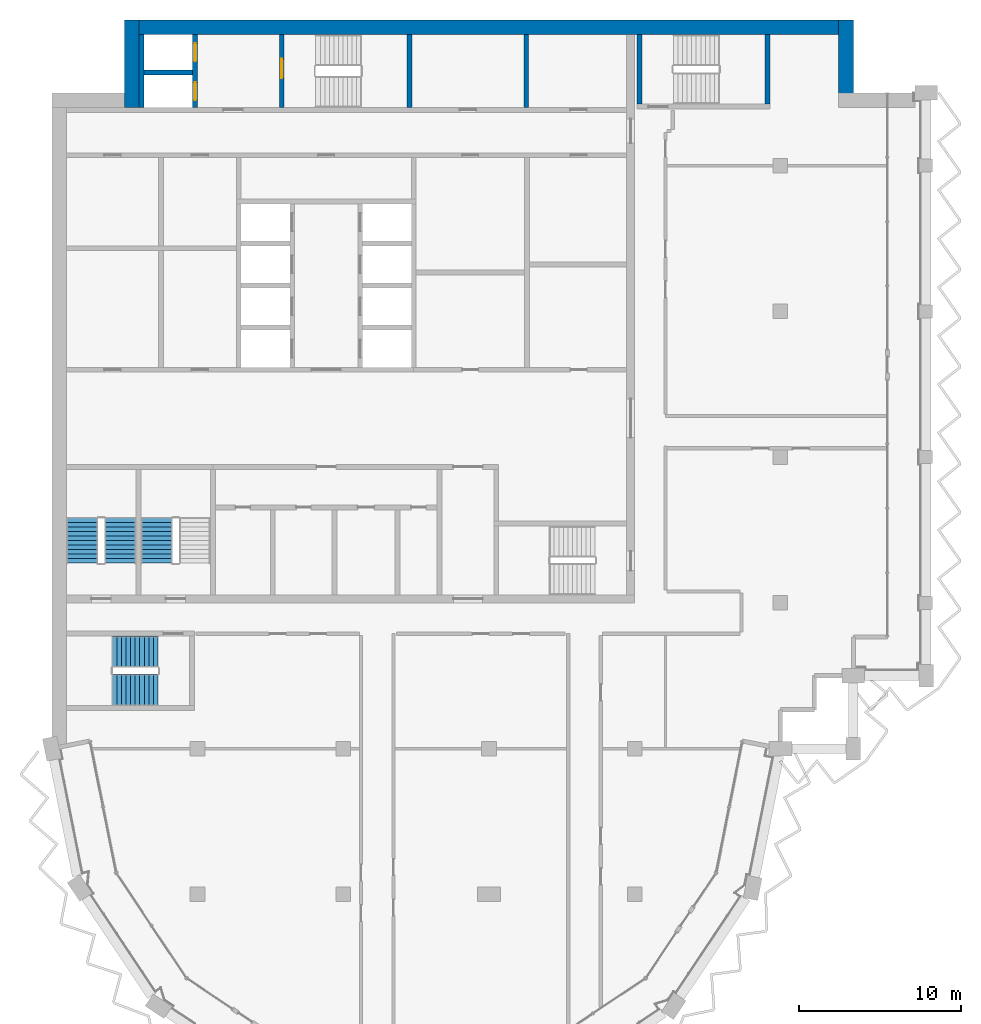
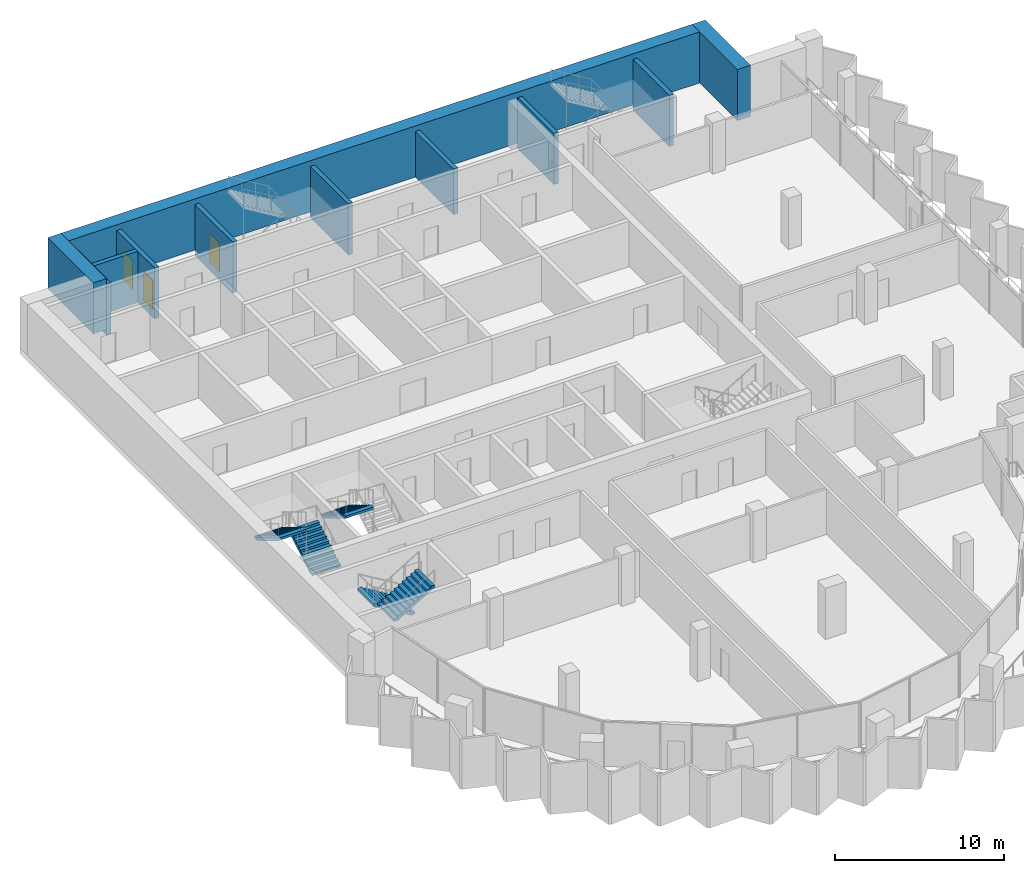
# One storey, part 10 of 14: 11 walls, 5 stair flights, 3 doors, 3 openings, 3 elements without a shape of their own.
"""IFC4 building model written with IfcOpenShell, lengths in metres."""

from ifc_helpers import new_model, si_unit, direction, frame, frame_2d, origin, place, context, subcontext, project, spatial, polyline, rectangle, outline, extrude, material, layer, layer_set, type_object, element, fill, aggregate, save


model = new_model("IFC4")

# Units and contexts
model_context = context("Model", 3, precision=1e-05, world=origin(), true_north=direction((0.0, 1.0)))
body_context = subcontext(model_context, "Body", "Model", "MODEL_VIEW")
ifc_project = project(units=[si_unit("LENGTHUNIT", "METRE"), si_unit("AREAUNIT", "SQUARE_METRE"), si_unit("VOLUMEUNIT", "CUBIC_METRE"), si_unit("PLANEANGLEUNIT", "RADIAN"), si_unit("MASSUNIT", "GRAM", prefix="KILO")], contexts=[model_context])

# Site, building, storey
site_placement = place(None, origin())
site = spatial("IfcSite", under=ifc_project, at=site_placement, CompositionType="ELEMENT")
building_placement = place(site_placement, origin())
building = spatial("IfcBuilding", under=site, at=building_placement, Name="Hunhe Ridgeline Campus", CompositionType="ELEMENT")
storey_placement = place(building_placement, frame((0.0, 0.0, 295.60009765625)))
storey = spatial("IfcBuildingStorey", under=building, at=storey_placement, Name="L76", CompositionType="ELEMENT", Elevation=295.60009765625)

# Walls
ifc_material_1 = material(Name="Masonry concrete blockwork", Category="masonry")
ifc_layer_1 = layer(ifc_material_1, 0.300048828125)
ifc_layer_set_1 = layer_set([ifc_layer_1], Name="Core room partition 300 concrete block")
wall_type_1 = type_object("IfcWallType", Name="Core room partition 300 concrete block", PredefinedType="PARTITIONING", material=ifc_layer_set_1)
wall_1_placement = place(storey_placement, frame((29.300048828125, 93.60009765625, 0.0), z_axis=(0.0, 0.0, 1.0), x_axis=(0.0, 1.0, 0.0)))
element("IfcWall", 1, at=wall_1_placement, inside=storey, type_object=wall_type_1, Name="L76 core partition 44", PredefinedType="PARTITIONING", context=body_context, shape_type="SweptSolid", body=[
    extrude(rectangle(XDim=4.5, YDim=0.300048828125, at=frame_2d((2.25, 0.0))), origin(), (0.0, 0.0, 1.0), 3.2998046875),
])
ifc_material_2 = material(Name="Concrete C50", Category="concrete")
ifc_layer_2 = layer(ifc_material_2, 0.300048828125)
ifc_layer_set_2 = layer_set([ifc_layer_2], Name="Shaft wall 300 reinforced concrete C50")
wall_type_2 = type_object("IfcWallType", Name="Shaft wall 300 reinforced concrete C50", PredefinedType="SOLIDWALL", material=ifc_layer_set_2)
wall_2_placement = place(storey_placement, frame((5.699951171875, 95.75, -0.400146484375), z_axis=(0.0, 0.0, 1.0), x_axis=(1.0, 0.0, 0.0)))
element("IfcWall", 2, at=wall_2_placement, inside=storey, type_object=wall_type_2, Name="L76 core wall 23", PredefinedType="SOLIDWALL", context=body_context, shape_type="SweptSolid", body=[
    extrude(rectangle(XDim=3.0, YDim=0.300048828125, at=frame_2d((1.5, 0.0))), origin(), (0.0, 0.0, 1.0), 3.699951171875),
])
wall_3_placement = place(storey_placement, frame((5.550048828125, 93.60009765625, -0.400146484375), z_axis=(0.0, 0.0, 1.0), x_axis=(0.0, 1.0, 0.0)))
element("IfcWall", 3, at=wall_3_placement, inside=storey, type_object=wall_type_2, Name="L76 core wall 25", PredefinedType="SOLIDWALL", context=body_context, shape_type="SweptSolid", body=[
    extrude(rectangle(XDim=4.5, YDim=0.300048828125, at=frame_2d((2.25, 0.0))), origin(), (0.0, 0.0, 1.0), 3.699951171875),
])

# Wall, openings, doors
wall_4_placement = place(storey_placement, frame((8.85009765625, 93.60009765625, -0.400146484375), z_axis=(0.0, 0.0, 1.0), x_axis=(0.0, 1.0, 0.0)))
wall_4 = element("IfcWall", 4, at=wall_4_placement, inside=storey, type_object=wall_type_2, Name="L76 core wall 28", PredefinedType="SOLIDWALL", context=body_context, shape_type="SweptSolid", body=[
    extrude(rectangle(XDim=4.5, YDim=0.300048828125, at=frame_2d((2.25, 0.0))), origin(), (0.0, 0.0, 1.0), 3.699951171875),
])
opening_1_placement = place(wall_4_placement, frame((0.449951171875, 0.0, 0.39990234375)))
opening_1 = element("IfcOpeningElement", 5, at=opening_1_placement, cuts=wall_4, Name="Opening LD-FF1", PredefinedType="OPENING", context=body_context, shape_type="SweptSolid", body=[
    extrude(rectangle(XDim=1.10009765625, YDim=2.10009765625, at=frame_2d((0.550048828125, 1.050048828125))), frame((0.0, 0.14990234375, 0.0), z_axis=(0.0, -1.0, 0.0), x_axis=(1.0, 0.0, 0.0)), (0.0, 0.0, 1.0), 0.300048828125),
])
opening_2_placement = place(wall_4_placement, frame((2.85009765625, 0.0, 0.39990234375)))
opening_2 = element("IfcOpeningElement", 6, at=opening_2_placement, cuts=wall_4, Name="Opening LD-FF2", PredefinedType="OPENING", context=body_context, shape_type="SweptSolid", body=[
    extrude(rectangle(XDim=1.10009765625, YDim=2.10009765625, at=frame_2d((0.550048828125, 1.050048828125))), frame((0.0, 0.14990234375, 0.0), z_axis=(0.0, -1.0, 0.0), x_axis=(1.0, 0.0, 0.0)), (0.0, 0.0, 1.0), 0.300048828125),
])
ifc_material_3 = material(Name="Stainless steel sliding leaves", Category="steel")
door_type_1 = type_object("IfcDoorType", Name="Landing door 1100x2100 FD120", OperationType="SLIDING_TO_LEFT", PredefinedType="DOOR", material=ifc_material_3)
door_1_placement = place(opening_1_placement, origin())
door_1 = element("IfcDoor", 7, at=door_1_placement, inside=storey, type_object=door_type_1, Name="L76 landing door FF1", OperationType="SLIDING_TO_RIGHT", OverallHeight=2.10009765625, OverallWidth=1.10009765625, PredefinedType="DOOR", context=body_context, shape_type="SweptSolid", body=[
    extrude(rectangle(XDim=1.10009765625, YDim=2.10009765625, at=frame_2d((0.550048828125, 1.050048828125))), frame((0.0, 0.02490234375, 0.0), z_axis=(0.0, -1.0, 0.0), x_axis=(1.0, 0.0, 0.0)), (0.0, 0.0, 1.0), 0.050048828125),
])
fill(opening_1, door_1)
door_2_placement = place(opening_2_placement, origin())
door_2 = element("IfcDoor", 8, at=door_2_placement, inside=storey, type_object=door_type_1, Name="L76 landing door FF2", OperationType="SLIDING_TO_LEFT", OverallHeight=2.10009765625, OverallWidth=1.10009765625, PredefinedType="DOOR", context=body_context, shape_type="SweptSolid", body=[
    extrude(rectangle(XDim=1.10009765625, YDim=2.10009765625, at=frame_2d((0.550048828125, 1.050048828125))), frame((0.0, 0.02490234375, 0.0), z_axis=(0.0, -1.0, 0.0), x_axis=(1.0, 0.0, 0.0)), (0.0, 0.0, 1.0), 0.050048828125),
])
fill(opening_2, door_2)

# Walls
ifc_layer_3 = layer(ifc_material_2, 0.89990234375)
ifc_layer_set_3 = layer_set([ifc_layer_3], Name="Spine wall 900 Concrete C50")
wall_type_3 = type_object("IfcWallType", Name="Spine wall 900 Concrete C50", PredefinedType="SHEAR", material=ifc_layer_set_3)
wall_5_placement = place(storey_placement, frame((49.050048828125, 93.60009765625, 0.0), z_axis=(0.0, 0.0, 1.0), x_axis=(0.0, 1.0, 0.0)))
element("IfcWall", 9, at=wall_5_placement, inside=storey, type_object=wall_type_3, Name="Spine wall SW4-3 L76", PredefinedType="SHEAR", context=body_context, shape_type="SweptSolid", body=[
    extrude(rectangle(XDim=5.39990234375, YDim=0.89990234375, at=frame_2d((2.699951171875, 0.0))), origin(), (0.0, 0.0, 1.0), 3.699951171875),
])
wall_6_placement = place(storey_placement, frame((49.5, 98.550048828125, 0.0), z_axis=(0.0, 0.0, 1.0), x_axis=(-1.0, 0.0, 0.0)))
element("IfcWall", 10, at=wall_6_placement, inside=storey, type_object=wall_type_3, Name="Spine wall SW4-4 L76", PredefinedType="SHEAR", context=body_context, shape_type="SweptSolid", body=[
    extrude(rectangle(XDim=45.0, YDim=0.89990234375, at=frame_2d((22.5, 0.0))), origin(), (0.0, 0.0, 1.0), 3.699951171875),
])
wall_7_placement = place(storey_placement, frame((4.949951171875, 99.0, 0.0), z_axis=(0.0, 0.0, 1.0), x_axis=(0.0, -1.0, 0.0)))
element("IfcWall", 11, at=wall_7_placement, inside=storey, type_object=wall_type_3, Name="Spine wall SW4-5 L76", PredefinedType="SHEAR", context=body_context, shape_type="SweptSolid", body=[
    extrude(rectangle(XDim=5.400146484375, YDim=0.89990234375, at=frame_2d((2.7001953125, 0.0))), origin(), (0.0, 0.0, 1.0), 3.699951171875),
])

# Wall, opening, door
ifc_layer_4 = layer(ifc_material_2, 0.300048828125)
ifc_layer_set_4 = layer_set([ifc_layer_4], Name="Stair wall 300 reinforced concrete C50")
wall_type_4 = type_object("IfcWallType", Name="Stair wall 300 reinforced concrete C50", PredefinedType="SOLIDWALL", material=ifc_layer_set_4)
wall_8_placement = place(storey_placement, frame((14.199951171875, 93.60009765625, -0.400146484375), z_axis=(0.0, 0.0, 1.0), x_axis=(0.0, 1.0, 0.0)))
wall_8 = element("IfcWall", 12, at=wall_8_placement, inside=storey, type_object=wall_type_4, Name="L76 core wall 33", PredefinedType="SOLIDWALL", context=body_context, shape_type="SweptSolid", body=[
    extrude(rectangle(XDim=4.5, YDim=0.300048828125, at=frame_2d((2.25, 0.0))), origin(), (0.0, 0.0, 1.0), 3.699951171875),
])
opening_3_placement = place(wall_8_placement, frame((1.800048828125, 0.0, 0.39990234375)))
opening_3 = element("IfcOpeningElement", 13, at=opening_3_placement, cuts=wall_8, Name="Opening CD16", PredefinedType="OPENING", context=body_context, shape_type="SweptSolid", body=[
    extrude(rectangle(XDim=1.199951171875, YDim=2.10009765625, at=frame_2d((0.60009765625, 1.050048828125))), frame((0.0, 0.14990234375, 0.0), z_axis=(0.0, -1.0, 0.0), x_axis=(1.0, 0.0, 0.0)), (0.0, 0.0, 1.0), 0.300048828125),
])
ifc_material_4 = material(Name="Hollow metal fire door leaf")
door_type_2 = type_object("IfcDoorType", Name="Stair door 1200x2100 FD60", OperationType="SINGLE_SWING_LEFT", PredefinedType="DOOR", material=ifc_material_4)
door_3_placement = place(opening_3_placement, origin())
door_3 = element("IfcDoor", 14, at=door_3_placement, inside=storey, type_object=door_type_2, Name="L76 door S1-FF", OperationType="SINGLE_SWING_RIGHT", OverallHeight=2.10009765625, OverallWidth=1.199951171875, PredefinedType="DOOR", context=body_context, shape_type="SweptSolid", body=[
    extrude(rectangle(XDim=1.199951171875, YDim=2.10009765625, at=frame_2d((0.60009765625, 1.050048828125))), frame((0.0, 0.02490234375, 0.0), z_axis=(0.0, -1.0, 0.0), x_axis=(1.0, 0.0, 0.0)), (0.0, 0.0, 1.0), 0.050048828125),
])
fill(opening_3, door_3)

# Walls
wall_9_placement = place(storey_placement, frame((22.10009765625, 93.60009765625, -0.400146484375), z_axis=(0.0, 0.0, 1.0), x_axis=(0.0, 1.0, 0.0)))
element("IfcWall", 15, at=wall_9_placement, inside=storey, type_object=wall_type_4, Name="L76 core wall 38", PredefinedType="SOLIDWALL", context=body_context, shape_type="SweptSolid", body=[
    extrude(rectangle(XDim=4.5, YDim=0.300048828125, at=frame_2d((2.25, 0.0))), origin(), (0.0, 0.0, 1.0), 3.699951171875),
])
for number, where, z_axis, x_axis, name in (
    (16, (36.300048828125, 93.800048828125, -0.400146484375), (0.0, 0.0, 1.0), (0.0, 1.0, 0.0), "L76 core wall 47"),
    (17, (44.199951171875, 93.800048828125, -0.400146484375), (0.0, 0.0, 1.0), (0.0, 1.0, 0.0), "L76 core wall 48"),
):
    element("IfcWall", number, at=place(storey_placement, frame(where, z_axis=z_axis, x_axis=x_axis)), inside=storey, type_object=wall_type_4, Name=name, PredefinedType="SOLIDWALL", context=body_context, shape_type="SweptSolid", body=[
        extrude(rectangle(XDim=4.300048828125, YDim=0.300048828125, at=frame_2d((2.14990234375, 0.0))), origin(), (0.0, 0.0, 1.0), 3.699951171875),
    ])

# Stair, stair flights
ifc_material_5 = material(Name="Concrete C40", Category="concrete")
stair_type = type_object("IfcStairType", Name="Reinforced concrete dog-leg stair 1950 Concrete C40", PredefinedType="HALF_TURN_STAIR", material=ifc_material_5)
stair_1_placement = place(storey_placement, origin())
stair_1 = element("IfcStair", 18, at=stair_1_placement, inside=storey, type_object=stair_type, Name="L76 S3", PredefinedType="HALF_TURN_STAIR")
stair_flight_type = type_object("IfcStairFlightType", Name="Reinforced concrete stair flight 1950 Concrete C40", PredefinedType="STRAIGHT", material=ifc_material_5)
stair_flight_1_placement = place(storey_placement, frame((4.22509765625, 65.449951171875, 0.0), z_axis=(0.0, 0.0, 1.0), x_axis=(0.0, 1.0, 0.0)))
stair_flight_1 = element("IfcStairFlight", 19, at=stair_flight_1_placement, type_object=stair_flight_type, Name="ST3 flight 1", NumberOfRisers=11, NumberOfTreads=10, PredefinedType="STRAIGHT", RiserHeight=0.168181818, TreadLength=0.28, context=body_context, shape_type="SweptSolid", body=[
    extrude(outline(polyline([(0.0, 0.0), (0.0, 0.168212890625), (0.280029296875, 0.168212890625), (0.280029296875, 0.33642578125), (0.56005859375, 0.33642578125), (0.56005859375, 0.504638671875), (0.840087890625, 0.504638671875), (0.840087890625, 0.672607421875), (1.1201171875, 0.672607421875), (1.1201171875, 0.8408203125), (1.39990234375, 0.8408203125), (1.39990234375, 1.009033203125), (1.679931640625, 1.009033203125), (1.679931640625, 1.17724609375), (1.9599609375, 1.17724609375), (1.9599609375, 1.345458984375), (2.239990234375, 1.345458984375), (2.239990234375, 1.513671875), (2.52001953125, 1.513671875), (2.52001953125, 1.681884765625), (2.800048828125, 1.681884765625), (2.800048828125, 1.85009765625), (2.800048828125, 1.5068359375), (0.291015625, 0.0), (0.0, 0.0)])), frame((0.0, 0.97509765625, 0.0), z_axis=(0.0, -1.0, 0.0), x_axis=(1.0, 0.0, 0.0)), (0.0, 0.0, 1.0), 1.949951171875),
    extrude(outline(polyline([(0.030029296875, 0.030029296875), (0.030029296875, 0.13818359375), (0.31005859375, 0.13818359375), (0.31005859375, 0.306396484375), (0.590087890625, 0.306396484375), (0.590087890625, 0.474609375), (0.8701171875, 0.474609375), (0.8701171875, 0.642578125), (1.14990234375, 0.642578125), (1.14990234375, 0.810791015625), (1.429931640625, 0.810791015625), (1.429931640625, 0.97900390625), (1.7099609375, 0.97900390625), (1.7099609375, 1.147216796875), (1.989990234375, 1.147216796875), (1.989990234375, 1.3154296875), (2.27001953125, 1.3154296875), (2.27001953125, 1.483642578125), (2.550048828125, 1.483642578125), (2.550048828125, 1.65185546875), (2.77001953125, 1.65185546875), (2.77001953125, 1.52392578125), (0.28271484375, 0.030029296875), (0.030029296875, 0.030029296875)])), frame((0.0, -0.070068359375, 0.0), z_axis=(0.0, -1.0, 0.0), x_axis=(1.0, 0.0, 0.0)), (0.0, 0.0, 1.0), 0.019775390625),
    extrude(outline(polyline([(0.030029296875, 0.030029296875), (0.030029296875, 0.13818359375), (0.31005859375, 0.13818359375), (0.31005859375, 0.306396484375), (0.590087890625, 0.306396484375), (0.590087890625, 0.474609375), (0.8701171875, 0.474609375), (0.8701171875, 0.642578125), (1.14990234375, 0.642578125), (1.14990234375, 0.810791015625), (1.429931640625, 0.810791015625), (1.429931640625, 0.97900390625), (1.7099609375, 0.97900390625), (1.7099609375, 1.147216796875), (1.989990234375, 1.147216796875), (1.989990234375, 1.3154296875), (2.27001953125, 1.3154296875), (2.27001953125, 1.483642578125), (2.550048828125, 1.483642578125), (2.550048828125, 1.65185546875), (2.77001953125, 1.65185546875), (2.77001953125, 1.52392578125), (0.28271484375, 0.030029296875), (0.030029296875, 0.030029296875)])), frame((0.0, 0.010009765625, 0.0), z_axis=(0.0, -1.0, 0.0), x_axis=(1.0, 0.0, 0.0)), (0.0, 0.0, 1.0), 0.019775390625),
    extrude(outline(polyline([(0.030029296875, 0.030029296875), (0.030029296875, 0.13818359375), (0.31005859375, 0.13818359375), (0.31005859375, 0.306396484375), (0.590087890625, 0.306396484375), (0.590087890625, 0.474609375), (0.8701171875, 0.474609375), (0.8701171875, 0.642578125), (1.14990234375, 0.642578125), (1.14990234375, 0.810791015625), (1.429931640625, 0.810791015625), (1.429931640625, 0.97900390625), (1.7099609375, 0.97900390625), (1.7099609375, 1.147216796875), (1.989990234375, 1.147216796875), (1.989990234375, 1.3154296875), (2.27001953125, 1.3154296875), (2.27001953125, 1.483642578125), (2.550048828125, 1.483642578125), (2.550048828125, 1.65185546875), (2.77001953125, 1.65185546875), (2.77001953125, 1.52392578125), (0.28271484375, 0.030029296875), (0.030029296875, 0.030029296875)])), frame((0.0, 0.090087890625, 0.0), z_axis=(0.0, -1.0, 0.0), x_axis=(1.0, 0.0, 0.0)), (0.0, 0.0, 1.0), 0.019775390625),
])
stair_flight_2_placement = place(storey_placement, frame((1.875, 68.25, 1.849853515625), z_axis=(0.0, 0.0, 1.0), x_axis=(0.0, -1.0, 0.0)))
stair_flight_2 = element("IfcStairFlight", 20, at=stair_flight_2_placement, type_object=stair_flight_type, Name="ST3 flight 2", NumberOfRisers=11, NumberOfTreads=10, PredefinedType="STRAIGHT", RiserHeight=0.168181818, TreadLength=0.28, context=body_context, shape_type="SweptSolid", body=[
    extrude(outline(polyline([(0.0, 0.0), (0.0, 0.168212890625), (0.280029296875, 0.168212890625), (0.280029296875, 0.33642578125), (0.56005859375, 0.33642578125), (0.56005859375, 0.504638671875), (0.840087890625, 0.504638671875), (0.840087890625, 0.672607421875), (1.1201171875, 0.672607421875), (1.1201171875, 0.8408203125), (1.39990234375, 0.8408203125), (1.39990234375, 1.009033203125), (1.679931640625, 1.009033203125), (1.679931640625, 1.17724609375), (1.9599609375, 1.17724609375), (1.9599609375, 1.345458984375), (2.239990234375, 1.345458984375), (2.239990234375, 1.513671875), (2.52001953125, 1.513671875), (2.52001953125, 1.681884765625), (2.800048828125, 1.681884765625), (2.800048828125, 1.85009765625), (2.800048828125, 1.5068359375), (0.291015625, 0.0), (0.0, 0.0)])), frame((0.0, 0.97509765625, 0.0), z_axis=(0.0, -1.0, 0.0), x_axis=(1.0, 0.0, 0.0)), (0.0, 0.0, 1.0), 1.949951171875),
    extrude(outline(polyline([(0.030029296875, 0.030029296875), (0.030029296875, 0.13818359375), (0.31005859375, 0.13818359375), (0.31005859375, 0.306396484375), (0.590087890625, 0.306396484375), (0.590087890625, 0.474609375), (0.8701171875, 0.474609375), (0.8701171875, 0.642578125), (1.14990234375, 0.642578125), (1.14990234375, 0.810791015625), (1.429931640625, 0.810791015625), (1.429931640625, 0.97900390625), (1.7099609375, 0.97900390625), (1.7099609375, 1.147216796875), (1.989990234375, 1.147216796875), (1.989990234375, 1.3154296875), (2.27001953125, 1.3154296875), (2.27001953125, 1.483642578125), (2.550048828125, 1.483642578125), (2.550048828125, 1.65185546875), (2.77001953125, 1.65185546875), (2.77001953125, 1.52392578125), (0.28271484375, 0.030029296875), (0.030029296875, 0.030029296875)])), frame((0.0, -0.070068359375, 0.0), z_axis=(0.0, -1.0, 0.0), x_axis=(1.0, 0.0, 0.0)), (0.0, 0.0, 1.0), 0.019775390625),
    extrude(outline(polyline([(0.030029296875, 0.030029296875), (0.030029296875, 0.13818359375), (0.31005859375, 0.13818359375), (0.31005859375, 0.306396484375), (0.590087890625, 0.306396484375), (0.590087890625, 0.474609375), (0.8701171875, 0.474609375), (0.8701171875, 0.642578125), (1.14990234375, 0.642578125), (1.14990234375, 0.810791015625), (1.429931640625, 0.810791015625), (1.429931640625, 0.97900390625), (1.7099609375, 0.97900390625), (1.7099609375, 1.147216796875), (1.989990234375, 1.147216796875), (1.989990234375, 1.3154296875), (2.27001953125, 1.3154296875), (2.27001953125, 1.483642578125), (2.550048828125, 1.483642578125), (2.550048828125, 1.65185546875), (2.77001953125, 1.65185546875), (2.77001953125, 1.52392578125), (0.28271484375, 0.030029296875), (0.030029296875, 0.030029296875)])), frame((0.0, 0.010009765625, 0.0), z_axis=(0.0, -1.0, 0.0), x_axis=(1.0, 0.0, 0.0)), (0.0, 0.0, 1.0), 0.019775390625),
    extrude(outline(polyline([(0.030029296875, 0.030029296875), (0.030029296875, 0.13818359375), (0.31005859375, 0.13818359375), (0.31005859375, 0.306396484375), (0.590087890625, 0.306396484375), (0.590087890625, 0.474609375), (0.8701171875, 0.474609375), (0.8701171875, 0.642578125), (1.14990234375, 0.642578125), (1.14990234375, 0.810791015625), (1.429931640625, 0.810791015625), (1.429931640625, 0.97900390625), (1.7099609375, 0.97900390625), (1.7099609375, 1.147216796875), (1.989990234375, 1.147216796875), (1.989990234375, 1.3154296875), (2.27001953125, 1.3154296875), (2.27001953125, 1.483642578125), (2.550048828125, 1.483642578125), (2.550048828125, 1.65185546875), (2.77001953125, 1.65185546875), (2.77001953125, 1.52392578125), (0.28271484375, 0.030029296875), (0.030029296875, 0.030029296875)])), frame((0.0, 0.090087890625, 0.0), z_axis=(0.0, -1.0, 0.0), x_axis=(1.0, 0.0, 0.0)), (0.0, 0.0, 1.0), 0.019775390625),
])
aggregate(stair_1, [stair_flight_1, stair_flight_2])

# Stair, stair flight
stair_2_placement = place(storey_placement, origin())
stair_2 = element("IfcStair", 21, at=stair_2_placement, inside=storey, type_object=stair_type, Name="L76 S4", PredefinedType="HALF_TURN_STAIR")
stair_flight_3_placement = place(storey_placement, frame((6.47509765625, 68.25, 1.849853515625), z_axis=(0.0, 0.0, 1.0), x_axis=(0.0, -1.0, 0.0)))
stair_flight_3 = element("IfcStairFlight", 22, at=stair_flight_3_placement, type_object=stair_flight_type, Name="ST4 flight 2", NumberOfRisers=11, NumberOfTreads=10, PredefinedType="STRAIGHT", RiserHeight=0.168181818, TreadLength=0.28, context=body_context, shape_type="SweptSolid", body=[
    extrude(outline(polyline([(0.0, 0.0), (0.0, 0.168212890625), (0.280029296875, 0.168212890625), (0.280029296875, 0.33642578125), (0.56005859375, 0.33642578125), (0.56005859375, 0.504638671875), (0.840087890625, 0.504638671875), (0.840087890625, 0.672607421875), (1.1201171875, 0.672607421875), (1.1201171875, 0.8408203125), (1.39990234375, 0.8408203125), (1.39990234375, 1.009033203125), (1.679931640625, 1.009033203125), (1.679931640625, 1.17724609375), (1.9599609375, 1.17724609375), (1.9599609375, 1.345458984375), (2.239990234375, 1.345458984375), (2.239990234375, 1.513671875), (2.52001953125, 1.513671875), (2.52001953125, 1.681884765625), (2.800048828125, 1.681884765625), (2.800048828125, 1.85009765625), (2.800048828125, 1.5068359375), (0.291015625, 0.0), (0.0, 0.0)])), frame((0.0, 0.97509765625, 0.0), z_axis=(0.0, -1.0, 0.0), x_axis=(1.0, 0.0, 0.0)), (0.0, 0.0, 1.0), 1.949951171875),
    extrude(outline(polyline([(0.030029296875, 0.030029296875), (0.030029296875, 0.13818359375), (0.31005859375, 0.13818359375), (0.31005859375, 0.306396484375), (0.590087890625, 0.306396484375), (0.590087890625, 0.474609375), (0.8701171875, 0.474609375), (0.8701171875, 0.642578125), (1.14990234375, 0.642578125), (1.14990234375, 0.810791015625), (1.429931640625, 0.810791015625), (1.429931640625, 0.97900390625), (1.7099609375, 0.97900390625), (1.7099609375, 1.147216796875), (1.989990234375, 1.147216796875), (1.989990234375, 1.3154296875), (2.27001953125, 1.3154296875), (2.27001953125, 1.483642578125), (2.550048828125, 1.483642578125), (2.550048828125, 1.65185546875), (2.77001953125, 1.65185546875), (2.77001953125, 1.52392578125), (0.28271484375, 0.030029296875), (0.030029296875, 0.030029296875)])), frame((0.0, -0.070068359375, 0.0), z_axis=(0.0, -1.0, 0.0), x_axis=(1.0, 0.0, 0.0)), (0.0, 0.0, 1.0), 0.019775390625),
    extrude(outline(polyline([(0.030029296875, 0.030029296875), (0.030029296875, 0.13818359375), (0.31005859375, 0.13818359375), (0.31005859375, 0.306396484375), (0.590087890625, 0.306396484375), (0.590087890625, 0.474609375), (0.8701171875, 0.474609375), (0.8701171875, 0.642578125), (1.14990234375, 0.642578125), (1.14990234375, 0.810791015625), (1.429931640625, 0.810791015625), (1.429931640625, 0.97900390625), (1.7099609375, 0.97900390625), (1.7099609375, 1.147216796875), (1.989990234375, 1.147216796875), (1.989990234375, 1.3154296875), (2.27001953125, 1.3154296875), (2.27001953125, 1.483642578125), (2.550048828125, 1.483642578125), (2.550048828125, 1.65185546875), (2.77001953125, 1.65185546875), (2.77001953125, 1.52392578125), (0.28271484375, 0.030029296875), (0.030029296875, 0.030029296875)])), frame((0.0, 0.010009765625, 0.0), z_axis=(0.0, -1.0, 0.0), x_axis=(1.0, 0.0, 0.0)), (0.0, 0.0, 1.0), 0.019775390625),
    extrude(outline(polyline([(0.030029296875, 0.030029296875), (0.030029296875, 0.13818359375), (0.31005859375, 0.13818359375), (0.31005859375, 0.306396484375), (0.590087890625, 0.306396484375), (0.590087890625, 0.474609375), (0.8701171875, 0.474609375), (0.8701171875, 0.642578125), (1.14990234375, 0.642578125), (1.14990234375, 0.810791015625), (1.429931640625, 0.810791015625), (1.429931640625, 0.97900390625), (1.7099609375, 0.97900390625), (1.7099609375, 1.147216796875), (1.989990234375, 1.147216796875), (1.989990234375, 1.3154296875), (2.27001953125, 1.3154296875), (2.27001953125, 1.483642578125), (2.550048828125, 1.483642578125), (2.550048828125, 1.65185546875), (2.77001953125, 1.65185546875), (2.77001953125, 1.52392578125), (0.28271484375, 0.030029296875), (0.030029296875, 0.030029296875)])), frame((0.0, 0.090087890625, 0.0), z_axis=(0.0, -1.0, 0.0), x_axis=(1.0, 0.0, 0.0)), (0.0, 0.0, 1.0), 0.019775390625),
])
aggregate(stair_2, [stair_flight_3])

# Stair, stair flights
stair_3_placement = place(storey_placement, origin())
stair_3 = element("IfcStair", 23, at=stair_3_placement, inside=storey, type_object=stair_type, Name="L76 W2", PredefinedType="HALF_TURN_STAIR")
stair_flight_4_placement = place(storey_placement, frame((6.550048828125, 59.97509765625, 0.0), z_axis=(0.0, 0.0, 1.0), x_axis=(-1.0, 0.0, 0.0)))
stair_flight_4 = element("IfcStairFlight", 24, at=stair_flight_4_placement, type_object=stair_flight_type, Name="ST12 flight 1", NumberOfRisers=11, NumberOfTreads=10, PredefinedType="STRAIGHT", RiserHeight=0.168181818, TreadLength=0.28, context=body_context, shape_type="SweptSolid", body=[
    extrude(outline(polyline([(0.0, 0.0), (0.0, 0.168212890625), (0.280029296875, 0.168212890625), (0.280029296875, 0.33642578125), (0.56005859375, 0.33642578125), (0.56005859375, 0.504638671875), (0.840087890625, 0.504638671875), (0.840087890625, 0.672607421875), (1.1201171875, 0.672607421875), (1.1201171875, 0.8408203125), (1.39990234375, 0.8408203125), (1.39990234375, 1.009033203125), (1.679931640625, 1.009033203125), (1.679931640625, 1.17724609375), (1.9599609375, 1.17724609375), (1.9599609375, 1.345458984375), (2.239990234375, 1.345458984375), (2.239990234375, 1.513671875), (2.52001953125, 1.513671875), (2.52001953125, 1.681884765625), (2.800048828125, 1.681884765625), (2.800048828125, 1.85009765625), (2.800048828125, 1.5068359375), (0.291015625, 0.0), (0.0, 0.0)])), frame((0.0, 0.97509765625, 0.0), z_axis=(0.0, -1.0, 0.0), x_axis=(1.0, 0.0, 0.0)), (0.0, 0.0, 1.0), 1.949951171875),
    extrude(outline(polyline([(0.030029296875, 0.030029296875), (0.030029296875, 0.13818359375), (0.31005859375, 0.13818359375), (0.31005859375, 0.306396484375), (0.590087890625, 0.306396484375), (0.590087890625, 0.474609375), (0.8701171875, 0.474609375), (0.8701171875, 0.642578125), (1.14990234375, 0.642578125), (1.14990234375, 0.810791015625), (1.429931640625, 0.810791015625), (1.429931640625, 0.97900390625), (1.7099609375, 0.97900390625), (1.7099609375, 1.147216796875), (1.989990234375, 1.147216796875), (1.989990234375, 1.3154296875), (2.27001953125, 1.3154296875), (2.27001953125, 1.483642578125), (2.550048828125, 1.483642578125), (2.550048828125, 1.65185546875), (2.77001953125, 1.65185546875), (2.77001953125, 1.52392578125), (0.28271484375, 0.030029296875), (0.030029296875, 0.030029296875)])), frame((0.0, -0.070068359375, 0.0), z_axis=(0.0, -1.0, 0.0), x_axis=(1.0, 0.0, 0.0)), (0.0, 0.0, 1.0), 0.019775390625),
    extrude(outline(polyline([(0.030029296875, 0.030029296875), (0.030029296875, 0.13818359375), (0.31005859375, 0.13818359375), (0.31005859375, 0.306396484375), (0.590087890625, 0.306396484375), (0.590087890625, 0.474609375), (0.8701171875, 0.474609375), (0.8701171875, 0.642578125), (1.14990234375, 0.642578125), (1.14990234375, 0.810791015625), (1.429931640625, 0.810791015625), (1.429931640625, 0.97900390625), (1.7099609375, 0.97900390625), (1.7099609375, 1.147216796875), (1.989990234375, 1.147216796875), (1.989990234375, 1.3154296875), (2.27001953125, 1.3154296875), (2.27001953125, 1.483642578125), (2.550048828125, 1.483642578125), (2.550048828125, 1.65185546875), (2.77001953125, 1.65185546875), (2.77001953125, 1.52392578125), (0.28271484375, 0.030029296875), (0.030029296875, 0.030029296875)])), frame((0.0, 0.010009765625, 0.0), z_axis=(0.0, -1.0, 0.0), x_axis=(1.0, 0.0, 0.0)), (0.0, 0.0, 1.0), 0.019775390625),
    extrude(outline(polyline([(0.030029296875, 0.030029296875), (0.030029296875, 0.13818359375), (0.31005859375, 0.13818359375), (0.31005859375, 0.306396484375), (0.590087890625, 0.306396484375), (0.590087890625, 0.474609375), (0.8701171875, 0.474609375), (0.8701171875, 0.642578125), (1.14990234375, 0.642578125), (1.14990234375, 0.810791015625), (1.429931640625, 0.810791015625), (1.429931640625, 0.97900390625), (1.7099609375, 0.97900390625), (1.7099609375, 1.147216796875), (1.989990234375, 1.147216796875), (1.989990234375, 1.3154296875), (2.27001953125, 1.3154296875), (2.27001953125, 1.483642578125), (2.550048828125, 1.483642578125), (2.550048828125, 1.65185546875), (2.77001953125, 1.65185546875), (2.77001953125, 1.52392578125), (0.28271484375, 0.030029296875), (0.030029296875, 0.030029296875)])), frame((0.0, 0.090087890625, 0.0), z_axis=(0.0, -1.0, 0.0), x_axis=(1.0, 0.0, 0.0)), (0.0, 0.0, 1.0), 0.019775390625),
])
stair_flight_5_placement = place(storey_placement, frame((3.75, 57.625, 1.849853515625), z_axis=(0.0, 0.0, 1.0), x_axis=(1.0, 0.0, 0.0)))
stair_flight_5 = element("IfcStairFlight", 25, at=stair_flight_5_placement, type_object=stair_flight_type, Name="ST12 flight 2", NumberOfRisers=11, NumberOfTreads=10, PredefinedType="STRAIGHT", RiserHeight=0.168181818, TreadLength=0.28, context=body_context, shape_type="SweptSolid", body=[
    extrude(outline(polyline([(0.0, 0.0), (0.0, 0.168212890625), (0.280029296875, 0.168212890625), (0.280029296875, 0.33642578125), (0.56005859375, 0.33642578125), (0.56005859375, 0.504638671875), (0.840087890625, 0.504638671875), (0.840087890625, 0.672607421875), (1.1201171875, 0.672607421875), (1.1201171875, 0.8408203125), (1.39990234375, 0.8408203125), (1.39990234375, 1.009033203125), (1.679931640625, 1.009033203125), (1.679931640625, 1.17724609375), (1.9599609375, 1.17724609375), (1.9599609375, 1.345458984375), (2.239990234375, 1.345458984375), (2.239990234375, 1.513671875), (2.52001953125, 1.513671875), (2.52001953125, 1.681884765625), (2.800048828125, 1.681884765625), (2.800048828125, 1.85009765625), (2.800048828125, 1.5068359375), (0.291015625, 0.0), (0.0, 0.0)])), frame((0.0, 0.97509765625, 0.0), z_axis=(0.0, -1.0, 0.0), x_axis=(1.0, 0.0, 0.0)), (0.0, 0.0, 1.0), 1.949951171875),
    extrude(outline(polyline([(0.030029296875, 0.030029296875), (0.030029296875, 0.13818359375), (0.31005859375, 0.13818359375), (0.31005859375, 0.306396484375), (0.590087890625, 0.306396484375), (0.590087890625, 0.474609375), (0.8701171875, 0.474609375), (0.8701171875, 0.642578125), (1.14990234375, 0.642578125), (1.14990234375, 0.810791015625), (1.429931640625, 0.810791015625), (1.429931640625, 0.97900390625), (1.7099609375, 0.97900390625), (1.7099609375, 1.147216796875), (1.989990234375, 1.147216796875), (1.989990234375, 1.3154296875), (2.27001953125, 1.3154296875), (2.27001953125, 1.483642578125), (2.550048828125, 1.483642578125), (2.550048828125, 1.65185546875), (2.77001953125, 1.65185546875), (2.77001953125, 1.52392578125), (0.28271484375, 0.030029296875), (0.030029296875, 0.030029296875)])), frame((0.0, -0.070068359375, 0.0), z_axis=(0.0, -1.0, 0.0), x_axis=(1.0, 0.0, 0.0)), (0.0, 0.0, 1.0), 0.019775390625),
    extrude(outline(polyline([(0.030029296875, 0.030029296875), (0.030029296875, 0.13818359375), (0.31005859375, 0.13818359375), (0.31005859375, 0.306396484375), (0.590087890625, 0.306396484375), (0.590087890625, 0.474609375), (0.8701171875, 0.474609375), (0.8701171875, 0.642578125), (1.14990234375, 0.642578125), (1.14990234375, 0.810791015625), (1.429931640625, 0.810791015625), (1.429931640625, 0.97900390625), (1.7099609375, 0.97900390625), (1.7099609375, 1.147216796875), (1.989990234375, 1.147216796875), (1.989990234375, 1.3154296875), (2.27001953125, 1.3154296875), (2.27001953125, 1.483642578125), (2.550048828125, 1.483642578125), (2.550048828125, 1.65185546875), (2.77001953125, 1.65185546875), (2.77001953125, 1.52392578125), (0.28271484375, 0.030029296875), (0.030029296875, 0.030029296875)])), frame((0.0, 0.010009765625, 0.0), z_axis=(0.0, -1.0, 0.0), x_axis=(1.0, 0.0, 0.0)), (0.0, 0.0, 1.0), 0.019775390625),
    extrude(outline(polyline([(0.030029296875, 0.030029296875), (0.030029296875, 0.13818359375), (0.31005859375, 0.13818359375), (0.31005859375, 0.306396484375), (0.590087890625, 0.306396484375), (0.590087890625, 0.474609375), (0.8701171875, 0.474609375), (0.8701171875, 0.642578125), (1.14990234375, 0.642578125), (1.14990234375, 0.810791015625), (1.429931640625, 0.810791015625), (1.429931640625, 0.97900390625), (1.7099609375, 0.97900390625), (1.7099609375, 1.147216796875), (1.989990234375, 1.147216796875), (1.989990234375, 1.3154296875), (2.27001953125, 1.3154296875), (2.27001953125, 1.483642578125), (2.550048828125, 1.483642578125), (2.550048828125, 1.65185546875), (2.77001953125, 1.65185546875), (2.77001953125, 1.52392578125), (0.28271484375, 0.030029296875), (0.030029296875, 0.030029296875)])), frame((0.0, 0.090087890625, 0.0), z_axis=(0.0, -1.0, 0.0), x_axis=(1.0, 0.0, 0.0)), (0.0, 0.0, 1.0), 0.019775390625),
])
aggregate(stair_3, [stair_flight_4, stair_flight_5])

save(model, "model.ifc")
